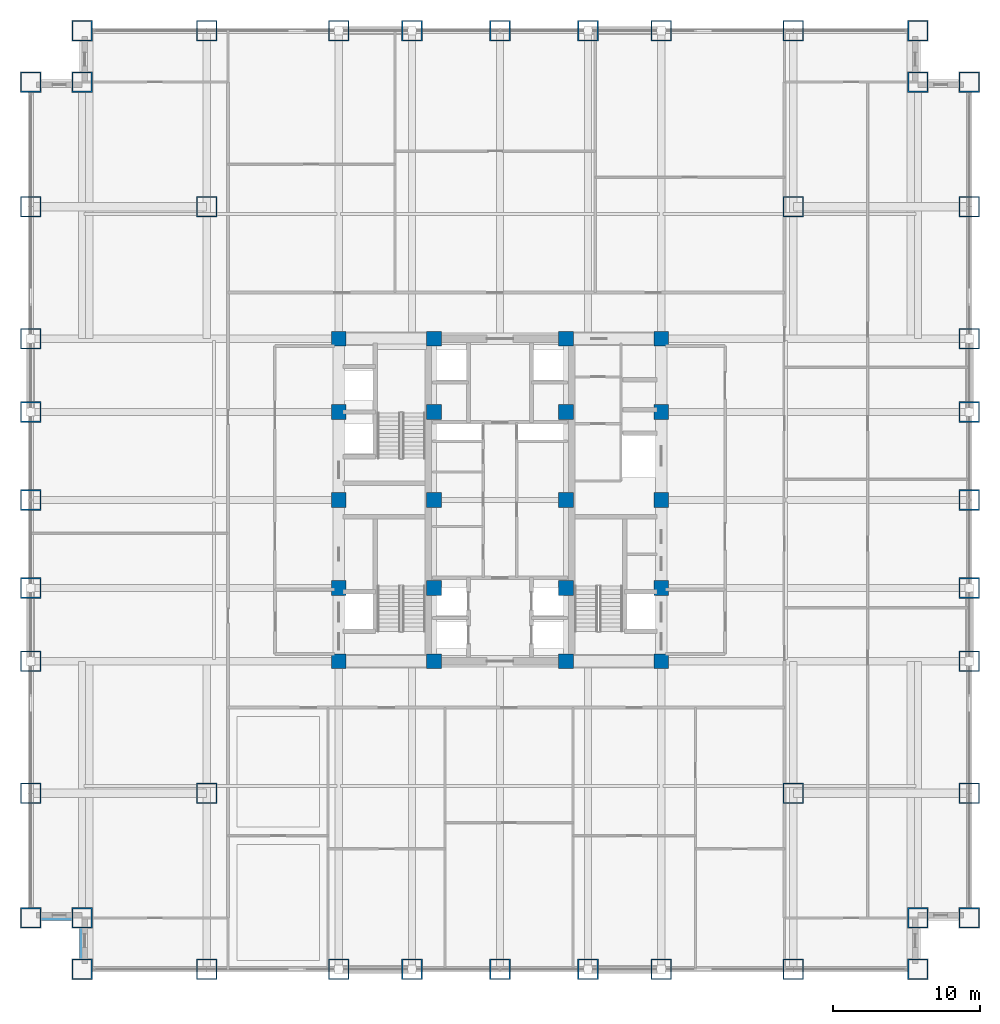
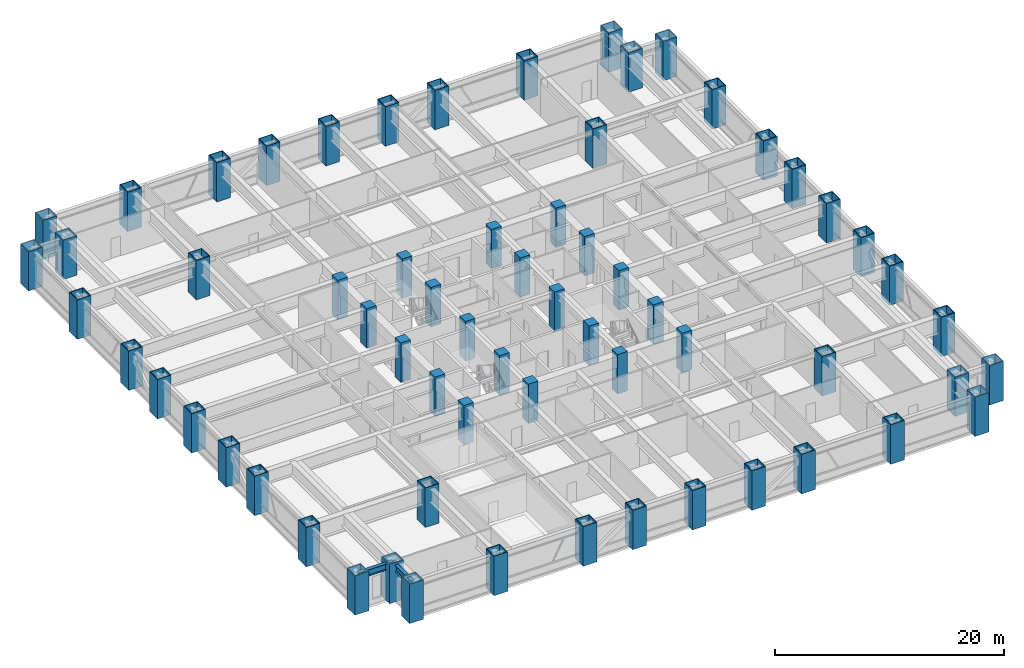
# One storey, part 1 of 29: 64 columns, 2 beams.
"""IFC4 building model written with IfcOpenShell, lengths in metres."""

from ifc_helpers import new_model, si_unit, direction, frame, origin, origin_2d, place, context, subcontext, project, spatial, rectangle, hollow_rectangle, i_section, extrude, source, transform, mapped, material, material_profile, profile_set, type_object, element, save


model = new_model("IFC4")

# Units and contexts
model_context = context("Model", 3, precision=1e-05, world=origin(), true_north=direction((0.0, 1.0)))
body_context = subcontext(model_context, "Body", "Model", "MODEL_VIEW")
ifc_project = project(units=[si_unit("LENGTHUNIT", "METRE"), si_unit("AREAUNIT", "SQUARE_METRE"), si_unit("VOLUMEUNIT", "CUBIC_METRE"), si_unit("PLANEANGLEUNIT", "RADIAN"), si_unit("MASSUNIT", "GRAM", prefix="KILO")], contexts=[model_context])

# Site, building, storey
site_placement = place(None, origin())
site = spatial("IfcSite", under=ifc_project, at=site_placement, CompositionType="ELEMENT")
building_placement = place(site_placement, origin())
building = spatial("IfcBuilding", under=site, at=building_placement, Name="Khorayat Bourse Tower", CompositionType="ELEMENT")
storey_placement = place(building_placement, frame((0.0, 0.0, 87.199951171875)))
storey = spatial("IfcBuildingStorey", under=building, at=storey_placement, Name="L19", CompositionType="ELEMENT", Elevation=87.199951171875)

# Columns
ifc_material_1 = material(Name="Steel EN 10025-4 S460M", Category="steel")
ifc_material_profile_1 = material_profile(ifc_material_1, hollow_rectangle(XDim=1.39990234375, YDim=1.39990234375, WallThickness=0.074951171875, at=origin_2d()), Name="BOX 1400x1400x75")
ifc_profile_set_1 = profile_set([ifc_material_profile_1], Name="Steel EN 10025-4 S460M")
column_type_1 = type_object("IfcColumnType", Name="COL-TUBE-1400", PredefinedType="COLUMN", material=ifc_profile_set_1)
shared_shape_1 = source(origin(), body_context, "Body", "SweptSolid", [
    extrude(hollow_rectangle(XDim=1.39990234375, YDim=1.39990234375, WallThickness=0.074951171875, at=origin_2d()), origin(), (0.0, 0.0, 1.0), 4.199951171875),
])
for number, where, z_axis, x_axis, name in (
    (1, (-32.0, -28.5, 0.0), (0.0, 0.0, 1.0), (1.0, 0.0, 0.0), "L19 Column 001"),
    (2, (-32.0, -20.0, 0.0), (0.0, 0.0, 1.0), (1.0, 0.0, 0.0), "L19 Column 002"),
    (3, (-32.0, -11.0, 0.0), (0.0, 0.0, 1.0), (1.0, 0.0, 0.0), "L19 Column 003"),
    (4, (-32.0, -6.0, 0.0), (0.0, 0.0, 1.0), (1.0, 0.0, 0.0), "L19 Column 004"),
    (5, (-32.0, 0.0, 0.0), (0.0, 0.0, 1.0), (1.0, 0.0, 0.0), "L19 Column 005"),
    (6, (-32.0, 6.0, 0.0), (0.0, 0.0, 1.0), (1.0, 0.0, 0.0), "L19 Column 006"),
    (7, (-32.0, 11.0, 0.0), (0.0, 0.0, 1.0), (1.0, 0.0, 0.0), "L19 Column 007"),
    (8, (-32.0, 20.0, 0.0), (0.0, 0.0, 1.0), (1.0, 0.0, 0.0), "L19 Column 008"),
    (9, (-32.0, 28.5, 0.0), (0.0, 0.0, 1.0), (1.0, 0.0, 0.0), "L19 Column 009"),
    (10, (-28.5, -32.0, 0.0), (0.0, 0.0, 1.0), (1.0, 0.0, 0.0), "L19 Column 010"),
    (11, (-28.5, -28.5, 0.0), (0.0, 0.0, 1.0), (1.0, 0.0, 0.0), "L19 Column 011"),
    (12, (-28.5, 28.5, 0.0), (0.0, 0.0, 1.0), (1.0, 0.0, 0.0), "L19 Column 012"),
    (13, (-28.5, 32.0, 0.0), (0.0, 0.0, 1.0), (1.0, 0.0, 0.0), "L19 Column 013"),
    (14, (-20.0, -32.0, 0.0), (0.0, 0.0, 1.0), (1.0, 0.0, 0.0), "L19 Column 014"),
    (15, (-20.0, -20.0, 0.0), (0.0, 0.0, 1.0), (1.0, 0.0, 0.0), "L19 Column 015"),
    (16, (-20.0, 20.0, 0.0), (0.0, 0.0, 1.0), (1.0, 0.0, 0.0), "L19 Column 016"),
    (17, (-20.0, 32.0, 0.0), (0.0, 0.0, 1.0), (1.0, 0.0, 0.0), "L19 Column 017"),
    (18, (-11.0, -32.0, 0.0), (0.0, 0.0, 1.0), (1.0, 0.0, 0.0), "L19 Column 018"),
    (19, (-11.0, 32.0, 0.0), (0.0, 0.0, 1.0), (1.0, 0.0, 0.0), "L19 Column 024"),
    (20, (-6.0, -32.0, 0.0), (0.0, 0.0, 1.0), (1.0, 0.0, 0.0), "L19 Column 025"),
    (21, (-6.0, 32.0, 0.0), (0.0, 0.0, 1.0), (1.0, 0.0, 0.0), "L19 Column 026"),
    (22, (0.0, -32.0, 0.0), (0.0, 0.0, 1.0), (1.0, 0.0, 0.0), "L19 Column 032"),
    (23, (0.0, 32.0, 0.0), (0.0, 0.0, 1.0), (1.0, 0.0, 0.0), "L19 Column 033"),
    (24, (6.0, -32.0, 0.0), (0.0, 0.0, 1.0), (1.0, 0.0, 0.0), "L19 Column 039"),
    (25, (6.0, 32.0, 0.0), (0.0, 0.0, 1.0), (1.0, 0.0, 0.0), "L19 Column 040"),
    (26, (11.0, -32.0, 0.0), (0.0, 0.0, 1.0), (1.0, 0.0, 0.0), "L19 Column 041"),
    (27, (11.0, 32.0, 0.0), (0.0, 0.0, 1.0), (1.0, 0.0, 0.0), "L19 Column 047"),
    (28, (20.0, -32.0, 0.0), (0.0, 0.0, 1.0), (1.0, 0.0, 0.0), "L19 Column 048"),
    (29, (20.0, -20.0, 0.0), (0.0, 0.0, 1.0), (1.0, 0.0, 0.0), "L19 Column 049"),
    (30, (20.0, 20.0, 0.0), (0.0, 0.0, 1.0), (1.0, 0.0, 0.0), "L19 Column 050"),
    (31, (20.0, 32.0, 0.0), (0.0, 0.0, 1.0), (1.0, 0.0, 0.0), "L19 Column 051"),
    (32, (28.5, -32.0, 0.0), (0.0, 0.0, 1.0), (1.0, 0.0, 0.0), "L19 Column 052"),
    (33, (28.5, -28.5, 0.0), (0.0, 0.0, 1.0), (1.0, 0.0, 0.0), "L19 Column 053"),
    (34, (28.5, 28.5, 0.0), (0.0, 0.0, 1.0), (1.0, 0.0, 0.0), "L19 Column 054"),
    (35, (28.5, 32.0, 0.0), (0.0, 0.0, 1.0), (1.0, 0.0, 0.0), "L19 Column 055"),
    (36, (32.0, -28.5, 0.0), (0.0, 0.0, 1.0), (1.0, 0.0, 0.0), "L19 Column 056"),
    (37, (32.0, -20.0, 0.0), (0.0, 0.0, 1.0), (1.0, 0.0, 0.0), "L19 Column 057"),
    (38, (32.0, -11.0, 0.0), (0.0, 0.0, 1.0), (1.0, 0.0, 0.0), "L19 Column 058"),
    (39, (32.0, -6.0, 0.0), (0.0, 0.0, 1.0), (1.0, 0.0, 0.0), "L19 Column 059"),
    (40, (32.0, 0.0, 0.0), (0.0, 0.0, 1.0), (1.0, 0.0, 0.0), "L19 Column 060"),
    (41, (32.0, 6.0, 0.0), (0.0, 0.0, 1.0), (1.0, 0.0, 0.0), "L19 Column 061"),
    (42, (32.0, 11.0, 0.0), (0.0, 0.0, 1.0), (1.0, 0.0, 0.0), "L19 Column 062"),
    (43, (32.0, 20.0, 0.0), (0.0, 0.0, 1.0), (1.0, 0.0, 0.0), "L19 Column 063"),
    (44, (32.0, 28.5, 0.0), (0.0, 0.0, 1.0), (1.0, 0.0, 0.0), "L19 Column 064"),
):
    element("IfcColumn", number, at=place(storey_placement, frame(where, z_axis=z_axis, x_axis=x_axis)), inside=storey, type_object=column_type_1, Name=name, PredefinedType="COLUMN", context=body_context, shape_type="MappedRepresentation", body=[
        mapped(shared_shape_1, transform((0.0, 0.0, 0.0), scale=1.0)),
    ])
ifc_material_2 = material(Name="Concrete C72/90", Category="concrete")
ifc_material_profile_2 = material_profile(ifc_material_2, rectangle(XDim=1.0, YDim=1.0, at=origin_2d()), Name="RC 1000x1000")
ifc_profile_set_2 = profile_set([ifc_material_profile_2], Name="Concrete C72/90")
column_type_2 = type_object("IfcColumnType", Name="COL-CORE-1000", PredefinedType="COLUMN", material=ifc_profile_set_2)
shared_shape_2 = source(origin(), body_context, "Body", "SweptSolid", [
    extrude(rectangle(XDim=1.0, YDim=1.0, at=origin_2d()), origin(), (0.0, 0.0, 1.0), 4.199951171875),
])
for number, where, z_axis, x_axis, name in (
    (45, (-11.0, -11.0, 0.0), (0.0, 0.0, 1.0), (1.0, 0.0, 0.0), "L19 Column 019"),
    (46, (-11.0, -6.0, 0.0), (0.0, 0.0, 1.0), (1.0, 0.0, 0.0), "L19 Column 020"),
    (47, (-11.0, 0.0, 0.0), (0.0, 0.0, 1.0), (1.0, 0.0, 0.0), "L19 Column 021"),
    (48, (-11.0, 6.0, 0.0), (0.0, 0.0, 1.0), (1.0, 0.0, 0.0), "L19 Column 022"),
    (49, (-11.0, 11.0, 0.0), (0.0, 0.0, 1.0), (1.0, 0.0, 0.0), "L19 Column 023"),
    (50, (-4.5, -11.0, 0.0), (0.0, 0.0, 1.0), (1.0, 0.0, 0.0), "L19 Column 027"),
    (51, (-4.5, -6.0, 0.0), (0.0, 0.0, 1.0), (1.0, 0.0, 0.0), "L19 Column 028"),
    (52, (-4.5, 0.0, 0.0), (0.0, 0.0, 1.0), (1.0, 0.0, 0.0), "L19 Column 029"),
    (53, (-4.5, 6.0, 0.0), (0.0, 0.0, 1.0), (1.0, 0.0, 0.0), "L19 Column 030"),
    (54, (-4.5, 11.0, 0.0), (0.0, 0.0, 1.0), (1.0, 0.0, 0.0), "L19 Column 031"),
    (55, (4.5, -11.0, 0.0), (0.0, 0.0, 1.0), (1.0, 0.0, 0.0), "L19 Column 034"),
    (56, (4.5, -6.0, 0.0), (0.0, 0.0, 1.0), (1.0, 0.0, 0.0), "L19 Column 035"),
    (57, (4.5, 0.0, 0.0), (0.0, 0.0, 1.0), (1.0, 0.0, 0.0), "L19 Column 036"),
    (58, (4.5, 6.0, 0.0), (0.0, 0.0, 1.0), (1.0, 0.0, 0.0), "L19 Column 037"),
    (59, (4.5, 11.0, 0.0), (0.0, 0.0, 1.0), (1.0, 0.0, 0.0), "L19 Column 038"),
    (60, (11.0, -11.0, 0.0), (0.0, 0.0, 1.0), (1.0, 0.0, 0.0), "L19 Column 042"),
    (61, (11.0, -6.0, 0.0), (0.0, 0.0, 1.0), (1.0, 0.0, 0.0), "L19 Column 043"),
    (62, (11.0, 0.0, 0.0), (0.0, 0.0, 1.0), (1.0, 0.0, 0.0), "L19 Column 044"),
    (63, (11.0, 6.0, 0.0), (0.0, 0.0, 1.0), (1.0, 0.0, 0.0), "L19 Column 045"),
    (64, (11.0, 11.0, 0.0), (0.0, 0.0, 1.0), (1.0, 0.0, 0.0), "L19 Column 046"),
):
    element("IfcColumn", number, at=place(storey_placement, frame(where, z_axis=z_axis, x_axis=x_axis)), inside=storey, type_object=column_type_2, Name=name, PredefinedType="COLUMN", context=body_context, shape_type="MappedRepresentation", body=[
        mapped(shared_shape_2, transform((0.0, 0.0, 0.0), scale=1.0)),
    ])

# Beams
ifc_material_3 = material(Name="Steel ASTM A992 Grade 50", Category="steel")
ifc_material_profile_3 = material_profile(ifc_material_3, i_section(OverallWidth=0.35498046875, OverallDepth=0.695068359375, WebThickness=0.015380859375, FlangeThickness=0.02490234375, FilletRadius=0.01806640625, at=origin_2d()), Name="W690X217")
ifc_profile_set_3 = profile_set([ifc_material_profile_3], Name="Steel ASTM A992 Grade 50")
beam_type = type_object("IfcBeamType", Name="BM-SPAN-690", PredefinedType="SPANDREL", material=ifc_profile_set_3)
shared_shape_3 = source(origin(), body_context, "Body", "SweptSolid", [
    extrude(i_section(OverallWidth=0.35498046875, OverallDepth=0.695068359375, WebThickness=0.015380859375, FlangeThickness=0.02490234375, FilletRadius=0.01806640625, at=origin_2d()), origin(), (0.0, 0.0, 1.0), 3.5),
])
for number, where, z_axis, x_axis, name in (
    (65, (-32.0, -28.5, 3.592529296875), (1.0, 0.0, 0.0), (0.0, 1.0, 0.0), "L19 BM-SPAN-690 BM-L19-SPN-062"),
    (66, (-28.5, -32.0, 3.592529296875), (0.0, 1.0, 0.0), (-1.0, 0.0, 0.0), "L19 BM-SPAN-690 BM-L19-SPN-063"),
):
    element("IfcBeam", number, at=place(storey_placement, frame(where, z_axis=z_axis, x_axis=x_axis)), inside=storey, type_object=beam_type, Name=name, PredefinedType="SPANDREL", context=body_context, shape_type="MappedRepresentation", body=[
        mapped(shared_shape_3, transform((0.0, 0.0, 0.0), scale=1.0)),
    ])

save(model, "model.ifc")
